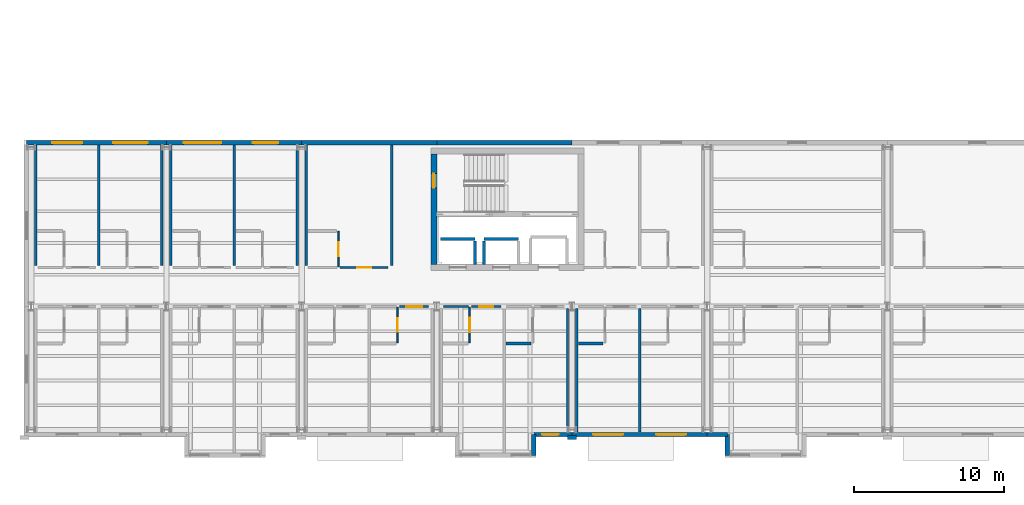
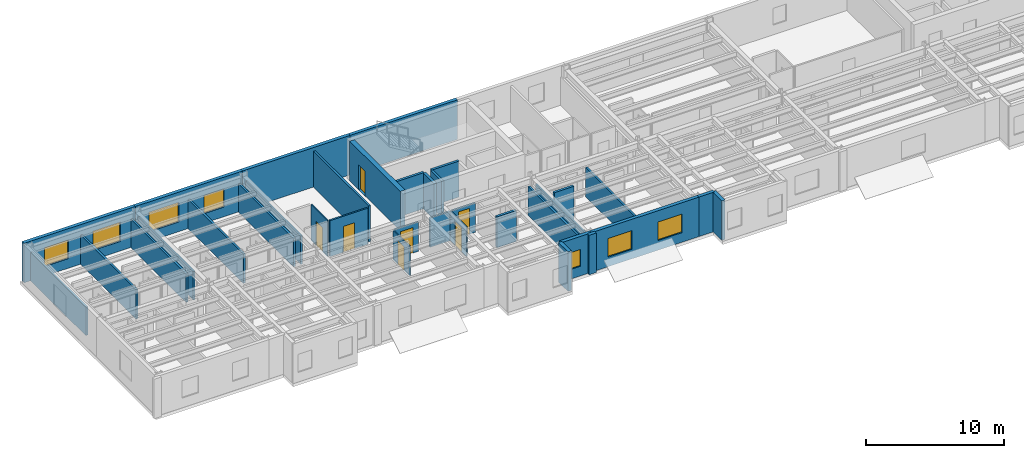
# One storey, part 9 of 19: 35 walls, 7 doors, 7 windows, 14 openings.
"""IFC4 building model written with IfcOpenShell, lengths in metres."""

import ifcopenshell
import ifcopenshell.guid

model = None  # the IFC model being written
_history = None  # IfcOwnerHistory: only IFC2X3 demands one
_inside = {}  # id of a spatial element -> (the spatial element, [elements in it])
_under = {}  # id of a project, library or spatial element -> (it, [spatial elements below it])
_declared = {}  # id of a project -> (the project, [libraries it declares])
_typed = {}  # id of a type object -> (the type object, [elements of that type])
_made_of = {}  # id of a material, layer set ... -> (it, [elements and type objects made of it])


def new_model(schema):
    """Start an empty IFC model of exactly this schema.

    Asked for "IFC4X3", IfcOpenShell would pick the latest addendum, in which some entities
    have other attributes; the version numbers below select the first issue.
    IFC2X3 requires an IfcOwnerHistory on every rooted entity: one is made here for all.
    """
    global model, _history
    if schema == "IFC4X3":
        model = ifcopenshell.file(schema_version=(4, 3, 0, 0))
    else:
        model = ifcopenshell.file(schema=schema)
    _inside.clear()
    _under.clear()
    _declared.clear()
    _typed.clear()
    _made_of.clear()
    _history = None
    if model.schema == "IFC2X3":
        org = make("IfcOrganization", Name="unknown")
        user = make(
            "IfcPersonAndOrganization",
            ThePerson=make("IfcPerson", FamilyName="unknown"),
            TheOrganization=org,
        )
        app = make(
            "IfcApplication",
            ApplicationDeveloper=org,
            Version="unknown",
            ApplicationFullName="unknown",
            ApplicationIdentifier="unknown",
        )
        _history = make(
            "IfcOwnerHistory",
            OwningUser=user,
            OwningApplication=app,
            ChangeAction="ADDED",
            CreationDate=0,
        )
    return model


def make(cls, **values):
    """One entity of the class cls with the attributes given. An attribute that is None is left unset."""
    return model.create_entity(
        cls, **{name: value for name, value in values.items() if value is not None}
    )


def rooted(cls, **values):
    """An entity with a GlobalId (a new one), such as an element, a storey or a relation."""
    return make(cls, GlobalId=ifcopenshell.guid.new(), OwnerHistory=_history, **values)


def si_unit(unit_type, name, prefix=None):
    """IfcSIUnit, for example si_unit("LENGTHUNIT", "METRE", prefix="MILLI")."""
    return make("IfcSIUnit", UnitType=unit_type, Prefix=prefix, Name=name)


def assignment(units):
    """IfcUnitAssignment: the units of a project."""
    return None if units is None else make("IfcUnitAssignment", Units=units)


def point(xyz):
    """IfcCartesianPoint."""
    return None if xyz is None else make("IfcCartesianPoint", Coordinates=xyz)


def direction(xyz):
    """IfcDirection."""
    return None if xyz is None else make("IfcDirection", DirectionRatios=xyz)


def frame(location, z_axis=None, x_axis=None):
    """IfcAxis2Placement3D, a coordinate frame: its origin and axes. An axis left out is left unset."""
    return make(
        "IfcAxis2Placement3D",
        Location=point(location),
        Axis=direction(z_axis),
        RefDirection=direction(x_axis),
    )


def frame_2d(location, x_axis=None):
    """IfcAxis2Placement2D, a coordinate frame in the plane: its origin and x axis."""
    return make(
        "IfcAxis2Placement2D", Location=point(location), RefDirection=direction(x_axis)
    )


def origin():
    """The frame at (0, 0, 0) with its axes left unset."""
    return frame((0.0, 0.0, 0.0))


def place(relative_to, where):
    """IfcLocalPlacement: puts the frame where relative to a parent placement (None: the world)."""
    return make(
        "IfcLocalPlacement", PlacementRelTo=relative_to, RelativePlacement=where
    )


def context(
    kind, dimensions, precision=None, world=None, true_north=None, identifier=None
):
    """IfcGeometricRepresentationContext, for example the 3D "Model" context."""
    return make(
        "IfcGeometricRepresentationContext",
        ContextIdentifier=identifier,
        ContextType=kind,
        CoordinateSpaceDimension=dimensions,
        Precision=precision,
        WorldCoordinateSystem=world,
        TrueNorth=true_north,
    )


def subcontext(parent, identifier, kind, view, scale=None):
    """IfcGeometricRepresentationSubContext, for example "Body" below "Model"."""
    return make(
        "IfcGeometricRepresentationSubContext",
        ContextIdentifier=identifier,
        ContextType=kind,
        ParentContext=parent,
        TargetScale=scale,
        TargetView=view,
    )


def project(units=None, contexts=None):
    """IfcProject with its units and contexts."""
    return rooted(
        "IfcProject",
        Name="project",
        RepresentationContexts=contexts,
        UnitsInContext=assignment(units),
    )


def spatial(cls, under=None, at=None, **own):
    """A site, building, storey or space (cls), placed at a placement, below another one or the project."""
    s = rooted(cls, ObjectPlacement=at, **own)
    if under is not None:
        _under.setdefault(under.id(), (under, []))[1].append(s)
    return s


def profile(cls, at=None, kind="AREA", **sizes):
    """A parametric profile (cls). Its sizes go by their IFC names, for example OverallWidth=200.0."""
    return make(cls, ProfileType=kind, Position=at, **sizes)


def rectangle(**sizes):
    """IfcRectangleProfileDef."""
    return profile("IfcRectangleProfileDef", **sizes)


def extrude(swept, where, along, depth):
    """IfcExtrudedAreaSolid: the profile swept, set in the frame where, extruded along a direction by depth."""
    return make(
        "IfcExtrudedAreaSolid",
        SweptArea=swept,
        Position=where,
        ExtrudedDirection=direction(along),
        Depth=depth,
    )


def shape(context_of_items, identifier, shape_type, items):
    """IfcShapeRepresentation: the items that make up one representation, for example the "Body"."""
    return make(
        "IfcShapeRepresentation",
        ContextOfItems=context_of_items,
        RepresentationIdentifier=identifier,
        RepresentationType=shape_type,
        Items=items,
    )


def material(Name=None, Category=None):
    """IfcMaterial."""
    return make("IfcMaterial", Name=Name, Category=Category)


def layer(
    of_material, thickness, ventilated=None, Name=None, Category=None, Priority=None
):
    """IfcMaterialLayer: one layer of a wall or slab, of a material (None: an air gap)."""
    return make(
        "IfcMaterialLayer",
        Material=of_material,
        LayerThickness=thickness,
        IsVentilated=ventilated,
        Name=Name,
        Category=Category,
        Priority=Priority,
    )


def layer_set(layers, Name=None):
    """IfcMaterialLayerSet."""
    return make("IfcMaterialLayerSet", MaterialLayers=layers, LayerSetName=Name)


def made_of(thing, what):
    """Note that an element or type object is made of a material, layer set ...; save() writes the relation."""
    if what is not None:
        _made_of.setdefault(what.id(), (what, []))[1].append(thing)
    return thing


def type_object(cls, material=None, **own):
    """A type object (cls), such as IfcWallType, which elements share."""
    return made_of(rooted(cls, **own), material)


def element(
    cls,
    number,
    at=None,
    inside=None,
    cuts=None,
    type_object=None,
    material=None,
    context=None,
    identifier="Body",
    shape_type=None,
    held_by="IfcProductDefinitionShape",
    body=None,
    shapes=None,
    **own,
):
    """One element of the class cls, such as IfcWall. Its Tag is "e" and its number.

    at: its placement. inside: the storey or other place that contains it. cuts: it is an
    opening in that element (IfcRelVoidsElement). A single representation is given by context,
    identifier, shape_type and body (its items); several are given by shapes. held_by: the class
    of the entity that holds the representations. save() writes the other relations.
    """
    e = rooted(cls, Tag="e%d" % number, ObjectPlacement=at, **own)
    if body is not None:
        shapes = [shape(context, identifier, shape_type, body)]
    if shapes is not None:
        e.Representation = make(held_by, Representations=shapes)
    if inside is not None:
        _inside.setdefault(inside.id(), (inside, []))[1].append(e)
    if cuts is not None:
        rooted(
            "IfcRelVoidsElement", RelatingBuildingElement=cuts, RelatedOpeningElement=e
        )
    if type_object is not None:
        _typed.setdefault(type_object.id(), (type_object, []))[1].append(e)
    return made_of(e, material)


def fill(opening, filler):
    """IfcRelFillsElement: the door or window that sits in an opening."""
    return rooted(
        "IfcRelFillsElement",
        RelatingOpeningElement=opening,
        RelatedBuildingElement=filler,
    )


def aggregate(whole, parts):
    """IfcRelAggregates: a whole, such as a stair, and the parts it consists of."""
    return rooted("IfcRelAggregates", RelatingObject=whole, RelatedObjects=parts)


def save(model, path):
    """Write the relations noted so far, then the file.

    IfcRelAggregates (storeys below a building ...), IfcRelContainedInSpatialStructure (elements
    in a storey), IfcRelDefinesByType, IfcRelAssociatesMaterial and IfcRelDeclares: one each for
    every whole, place, type object, material and project.
    """
    for whole, parts in _under.values():
        aggregate(whole, parts)
    for where, things in _inside.values():
        rooted(
            "IfcRelContainedInSpatialStructure",
            RelatedElements=things,
            RelatingStructure=where,
        )
    for kind, things in _typed.values():
        rooted("IfcRelDefinesByType", RelatedObjects=things, RelatingType=kind)
    for what, things in _made_of.values():
        rooted("IfcRelAssociatesMaterial", RelatedObjects=things, RelatingMaterial=what)
    for by, libraries in _declared.values():
        rooted("IfcRelDeclares", RelatingContext=by, RelatedDefinitions=libraries)
    model.write(path)


model = new_model("IFC4")

# Units and contexts
model_context = context("Model", 3, precision=1e-05, world=origin(), true_north=direction((0.0, 1.0)))
body_context = subcontext(model_context, "Body", "Model", "MODEL_VIEW")
ifc_project = project(units=[si_unit("LENGTHUNIT", "METRE"), si_unit("AREAUNIT", "SQUARE_METRE"), si_unit("VOLUMEUNIT", "CUBIC_METRE"), si_unit("PLANEANGLEUNIT", "RADIAN"), si_unit("MASSUNIT", "GRAM", prefix="KILO")], contexts=[model_context])

# Site, building, storey
site_placement = place(None, origin())
site = spatial("IfcSite", under=ifc_project, at=site_placement, CompositionType="ELEMENT")
building_placement = place(site_placement, origin())
building = spatial("IfcBuilding", under=site, at=building_placement, Name="Sollismere Congress Hotel", CompositionType="ELEMENT")
storey_placement = place(building_placement, frame((0.0, 0.0, 34.10009765625)))
storey = spatial("IfcBuildingStorey", under=building, at=storey_placement, Name="L08", CompositionType="ELEMENT", Elevation=34.10009765625)

# Wall, opening, window
ifc_material_1 = material(Name="Colorado Buff Sandstone Rainscreen on Insulated Backup", Category="masonry")
ifc_layer_1 = layer(ifc_material_1, 0.284912109375, Name="Colorado Buff Sandstone Rainscreen on Insulated Backup")
ifc_layer_set_1 = layer_set([ifc_layer_1], Name="Colorado Buff Sandstone Rainscreen on Insulated Backup")
wall_type_1 = type_object("IfcWallType", Name="WL-EXT285", PredefinedType="STANDARD", material=ifc_layer_set_1)
wall_1_placement = place(storey_placement, frame((100.4599609375, -0.31005859375, 0.0), z_axis=(0.0, 0.0, 1.0), x_axis=(1.0, 0.0, 0.0)))
wall_1 = element("IfcWall", 1, at=wall_1_placement, inside=storey, type_object=wall_type_1, Name="Exterior wall EW-L08-821", PredefinedType="STANDARD", context=body_context, shape_type="SweptSolid", body=[
    extrude(rectangle(XDim=2.5400390625, YDim=0.284912109375, at=frame_2d((1.27001953125, 0.0))), origin(), (0.0, 0.0, 1.0), 3.5),
])
opening_1_placement = place(wall_1_placement, frame((0.544921875, 0.0, 0.85009765625)))
opening_1 = element("IfcOpeningElement", 2, at=opening_1_placement, cuts=wall_1, Name="Opening W-L08-596", PredefinedType="OPENING", context=body_context, shape_type="SweptSolid", body=[
    extrude(rectangle(XDim=1.10009765625, YDim=1.5, at=frame_2d((0.550048828125, 0.75))), frame((0.0, 0.15234375, 0.0), z_axis=(0.0, -1.0, 0.0), x_axis=(1.0, 0.0, 0.0)), (0.0, 0.0, 1.0), 0.304931640625),
])
ifc_material_2 = material(Name="Thermally Broken Bronze Aluminum & Low-E Glass", Category="aluminium")
window_type_1 = type_object("IfcWindowType", Name="WN-P110x150", PartitioningType="SINGLE_PANEL", PredefinedType="WINDOW", material=ifc_material_2)
window_1_placement = place(opening_1_placement, origin())
window_1 = element("IfcWindow", 3, at=window_1_placement, inside=storey, type_object=window_type_1, Name="WIN-W-L08-596", OverallHeight=1.5, OverallWidth=1.10009765625, PartitioningType="SINGLE_PANEL", PredefinedType="WINDOW", context=body_context, shape_type="SweptSolid", body=[
    extrude(rectangle(XDim=1.10009765625, YDim=1.5, at=frame_2d((0.550048828125, 0.75))), frame((0.0, 0.030029296875, 0.0), z_axis=(0.0, -1.0, 0.0), x_axis=(1.0, 0.0, 0.0)), (0.0, 0.0, 1.0), 0.06005859375),
])
fill(opening_1, window_1)

# Wall
wall_2_placement = place(storey_placement, frame((100.4599609375, -1.699951171875, 0.0), z_axis=(0.0, 0.0, 1.0), x_axis=(0.0, 1.0, 0.0)))
element("IfcWall", 4, at=wall_2_placement, inside=storey, type_object=wall_type_1, Name="Exterior wall EW-L08-824", PredefinedType="STANDARD", context=body_context, shape_type="SweptSolid", body=[
    extrude(rectangle(XDim=1.389892578125, YDim=0.284912109375, at=frame_2d((0.69482421875, 0.0))), origin(), (0.0, 0.0, 1.0), 3.5),
])

# Wall, openings, windows
wall_3_placement = place(storey_placement, frame((103.0, -0.31005859375, 0.0), z_axis=(0.0, 0.0, 1.0), x_axis=(1.0, 0.0, 0.0)))
wall_3 = element("IfcWall", 5, at=wall_3_placement, inside=storey, type_object=wall_type_1, Name="Exterior wall EW-L08-825", PredefinedType="STANDARD", context=body_context, shape_type="SweptSolid", body=[
    extrude(rectangle(XDim=9.0, YDim=0.284912109375, at=frame_2d((4.5, 0.0))), origin(), (0.0, 0.0, 1.0), 3.5),
])
opening_2_placement = place(wall_3_placement, frame((1.39990234375, 0.0, 0.85009765625)))
opening_2 = element("IfcOpeningElement", 6, at=opening_2_placement, cuts=wall_3, Name="Opening W-L08-599", PredefinedType="OPENING", context=body_context, shape_type="SweptSolid", body=[
    extrude(rectangle(XDim=2.0, YDim=1.64990234375, at=frame_2d((1.0, 0.824951171875))), frame((0.0, 0.15234375, 0.0), z_axis=(0.0, -1.0, 0.0), x_axis=(1.0, 0.0, 0.0)), (0.0, 0.0, 1.0), 0.304931640625),
])
opening_3_placement = place(wall_3_placement, frame((5.60009765625, 0.0, 0.85009765625)))
opening_3 = element("IfcOpeningElement", 7, at=opening_3_placement, cuts=wall_3, Name="Opening W-L08-600", PredefinedType="OPENING", context=body_context, shape_type="SweptSolid", body=[
    extrude(rectangle(XDim=2.0, YDim=1.64990234375, at=frame_2d((1.0, 0.824951171875))), frame((0.0, 0.15234375, 0.0), z_axis=(0.0, -1.0, 0.0), x_axis=(1.0, 0.0, 0.0)), (0.0, 0.0, 1.0), 0.304931640625),
])
window_type_2 = type_object("IfcWindowType", Name="WN-P200x165", PartitioningType="SINGLE_PANEL", PredefinedType="WINDOW", material=ifc_material_2)
window_2_placement = place(opening_2_placement, origin())
window_2 = element("IfcWindow", 8, at=window_2_placement, inside=storey, type_object=window_type_2, Name="WIN-W-L08-599", OverallHeight=1.64990234375, OverallWidth=2.0, PartitioningType="SINGLE_PANEL", PredefinedType="WINDOW", context=body_context, shape_type="SweptSolid", body=[
    extrude(rectangle(XDim=2.0, YDim=1.64990234375, at=frame_2d((1.0, 0.824951171875))), frame((0.0, 0.030029296875, 0.0), z_axis=(0.0, -1.0, 0.0), x_axis=(1.0, 0.0, 0.0)), (0.0, 0.0, 1.0), 0.06005859375),
])
fill(opening_2, window_2)
window_3_placement = place(opening_3_placement, origin())
window_3 = element("IfcWindow", 9, at=window_3_placement, inside=storey, type_object=window_type_2, Name="WIN-W-L08-600", OverallHeight=1.64990234375, OverallWidth=2.0, PartitioningType="SINGLE_PANEL", PredefinedType="WINDOW", context=body_context, shape_type="SweptSolid", body=[
    extrude(rectangle(XDim=2.0, YDim=1.64990234375, at=frame_2d((1.0, 0.824951171875))), frame((0.0, 0.030029296875, 0.0), z_axis=(0.0, -1.0, 0.0), x_axis=(1.0, 0.0, 0.0)), (0.0, 0.0, 1.0), 0.06005859375),
])
fill(opening_3, window_3)

# Walls
wall_4_placement = place(storey_placement, frame((112.0, -0.31005859375, 0.0), z_axis=(0.0, 0.0, 1.0), x_axis=(1.0, 0.0, 0.0)))
element("IfcWall", 10, at=wall_4_placement, inside=storey, type_object=wall_type_1, Name="Exterior wall EW-L08-827", PredefinedType="STANDARD", context=body_context, shape_type="SweptSolid", body=[
    extrude(rectangle(XDim=1.340087890625, YDim=0.284912109375, at=frame_2d((0.669921875, 0.0))), origin(), (0.0, 0.0, 1.0), 3.5),
])
wall_5_placement = place(storey_placement, frame((113.340087890625, -0.31005859375, 0.0), z_axis=(0.0, 0.0, 1.0), x_axis=(0.0, -1.0, 0.0)))
element("IfcWall", 11, at=wall_5_placement, inside=storey, type_object=wall_type_1, Name="Exterior wall EW-L08-830", PredefinedType="STANDARD", context=body_context, shape_type="SweptSolid", body=[
    extrude(rectangle(XDim=1.389892578125, YDim=0.284912109375, at=frame_2d((0.69482421875, 0.0))), origin(), (0.0, 0.0, 1.0), 3.5),
])

# Wall, openings, windows
wall_6_placement = place(storey_placement, frame((76.0, 19.110107421875, 0.0), z_axis=(0.0, 0.0, 1.0), x_axis=(-1.0, 0.0, 0.0)))
wall_6 = element("IfcWall", 12, at=wall_6_placement, inside=storey, type_object=wall_type_1, Name="Exterior wall EW-L08-861", PredefinedType="STANDARD", context=body_context, shape_type="SweptSolid", body=[
    extrude(rectangle(XDim=9.31005859375, YDim=0.284912109375, at=frame_2d((4.655029296875, 0.0))), origin(), (0.0, 0.0, 1.0), 3.5),
])
opening_4_placement = place(wall_6_placement, frame((5.60009765625, 0.0, 0.85009765625)))
opening_4 = element("IfcOpeningElement", 13, at=opening_4_placement, cuts=wall_6, Name="Opening W-L08-618", PredefinedType="OPENING", context=body_context, shape_type="SweptSolid", body=[
    extrude(rectangle(XDim=2.0, YDim=1.64990234375, at=frame_2d((1.0, 0.824951171875))), frame((0.0, 0.15234375, 0.0), z_axis=(0.0, -1.0, 0.0), x_axis=(1.0, 0.0, 0.0)), (0.0, 0.0, 1.0), 0.304931640625),
])
opening_5_placement = place(wall_6_placement, frame((1.25, 0.0, 0.85009765625)))
opening_5 = element("IfcOpeningElement", 14, at=opening_5_placement, cuts=wall_6, Name="Opening W-L08-619", PredefinedType="OPENING", context=body_context, shape_type="SweptSolid", body=[
    extrude(rectangle(XDim=2.300048828125, YDim=1.699951171875, at=frame_2d((1.14990234375, 0.85009765625))), frame((0.0, 0.15234375, 0.0), z_axis=(0.0, -1.0, 0.0), x_axis=(1.0, 0.0, 0.0)), (0.0, 0.0, 1.0), 0.304931640625),
])
window_4_placement = place(opening_4_placement, origin())
window_4 = element("IfcWindow", 15, at=window_4_placement, inside=storey, type_object=window_type_2, Name="WIN-W-L08-618", OverallHeight=1.64990234375, OverallWidth=2.0, PartitioningType="SINGLE_PANEL", PredefinedType="WINDOW", context=body_context, shape_type="SweptSolid", body=[
    extrude(rectangle(XDim=2.0, YDim=1.64990234375, at=frame_2d((1.0, 0.824951171875))), frame((0.0, 0.030029296875, 0.0), z_axis=(0.0, -1.0, 0.0), x_axis=(1.0, 0.0, 0.0)), (0.0, 0.0, 1.0), 0.06005859375),
])
fill(opening_4, window_4)
window_type_3 = type_object("IfcWindowType", Name="WN-P230x170", PartitioningType="SINGLE_PANEL", PredefinedType="WINDOW", material=ifc_material_2)
window_5_placement = place(opening_5_placement, origin())
window_5 = element("IfcWindow", 16, at=window_5_placement, inside=storey, type_object=window_type_3, Name="WIN-W-L08-619", OverallHeight=1.699951171875, OverallWidth=2.300048828125, PartitioningType="SINGLE_PANEL", PredefinedType="WINDOW", context=body_context, shape_type="SweptSolid", body=[
    extrude(rectangle(XDim=2.300048828125, YDim=1.699951171875, at=frame_2d((1.14990234375, 0.85009765625))), frame((0.0, 0.030029296875, 0.0), z_axis=(0.0, -1.0, 0.0), x_axis=(1.0, 0.0, 0.0)), (0.0, 0.0, 1.0), 0.06005859375),
])
fill(opening_5, window_5)

wall_7_placement = place(storey_placement, frame((85.0, 19.110107421875, 0.0), z_axis=(0.0, 0.0, 1.0), x_axis=(-1.0, 0.0, 0.0)))
wall_7 = element("IfcWall", 17, at=wall_7_placement, inside=storey, type_object=wall_type_1, Name="Exterior wall EW-L08-862", PredefinedType="STANDARD", context=body_context, shape_type="SweptSolid", body=[
    extrude(rectangle(XDim=9.0, YDim=0.284912109375, at=frame_2d((4.5, 0.0))), origin(), (0.0, 0.0, 1.0), 3.5),
])
opening_6_placement = place(wall_7_placement, frame((5.35009765625, 0.0, 0.85009765625)))
opening_6 = element("IfcOpeningElement", 18, at=opening_6_placement, cuts=wall_7, Name="Opening W-L08-620", PredefinedType="OPENING", context=body_context, shape_type="SweptSolid", body=[
    extrude(rectangle(XDim=2.5, YDim=1.75, at=frame_2d((1.25, 0.875))), frame((0.0, 0.15234375, 0.0), z_axis=(0.0, -1.0, 0.0), x_axis=(1.0, 0.0, 0.0)), (0.0, 0.0, 1.0), 0.304931640625),
])
opening_7_placement = place(wall_7_placement, frame((1.550048828125, 0.0, 0.85009765625)))
opening_7 = element("IfcOpeningElement", 19, at=opening_7_placement, cuts=wall_7, Name="Opening W-L08-621", PredefinedType="OPENING", context=body_context, shape_type="SweptSolid", body=[
    extrude(rectangle(XDim=1.699951171875, YDim=1.60009765625, at=frame_2d((0.85009765625, 0.800048828125))), frame((0.0, 0.15234375, 0.0), z_axis=(0.0, -1.0, 0.0), x_axis=(1.0, 0.0, 0.0)), (0.0, 0.0, 1.0), 0.304931640625),
])
window_type_4 = type_object("IfcWindowType", Name="WN-P170x160", PartitioningType="SINGLE_PANEL", PredefinedType="WINDOW", material=ifc_material_2)
window_6_placement = place(opening_7_placement, origin())
window_6 = element("IfcWindow", 20, at=window_6_placement, inside=storey, type_object=window_type_4, Name="WIN-W-L08-621", OverallHeight=1.60009765625, OverallWidth=1.699951171875, PartitioningType="SINGLE_PANEL", PredefinedType="WINDOW", context=body_context, shape_type="SweptSolid", body=[
    extrude(rectangle(XDim=1.699951171875, YDim=1.60009765625, at=frame_2d((0.85009765625, 0.800048828125))), frame((0.0, 0.030029296875, 0.0), z_axis=(0.0, -1.0, 0.0), x_axis=(1.0, 0.0, 0.0)), (0.0, 0.0, 1.0), 0.06005859375),
])
fill(opening_7, window_6)
window_type_5 = type_object("IfcWindowType", Name="WN-P250x175", PartitioningType="SINGLE_PANEL", PredefinedType="WINDOW", material=ifc_material_2)
window_7_placement = place(opening_6_placement, origin())
window_7 = element("IfcWindow", 21, at=window_7_placement, inside=storey, type_object=window_type_5, Name="WIN-W-L08-620", OverallHeight=1.75, OverallWidth=2.5, PartitioningType="SINGLE_PANEL", PredefinedType="WINDOW", context=body_context, shape_type="SweptSolid", body=[
    extrude(rectangle(XDim=2.5, YDim=1.75, at=frame_2d((1.25, 0.875))), frame((0.0, 0.030029296875, 0.0), z_axis=(0.0, -1.0, 0.0), x_axis=(1.0, 0.0, 0.0)), (0.0, 0.0, 1.0), 0.06005859375),
])
fill(opening_6, window_7)

# Walls
for number, where, z_axis, x_axis, name in (
    (22, (94.0, 19.110107421875, 0.0), (0.0, 0.0, 1.0), (-1.0, 0.0, 0.0), "Exterior wall EW-L08-863"),
    (23, (103.0, 19.110107421875, 0.0), (0.0, 0.0, 1.0), (-1.0, 0.0, 0.0), "Exterior wall EW-L08-864"),
):
    element("IfcWall", number, at=place(storey_placement, frame(where, z_axis=z_axis, x_axis=x_axis)), inside=storey, type_object=wall_type_1, Name=name, PredefinedType="STANDARD", context=body_context, shape_type="SweptSolid", body=[
        extrude(rectangle(XDim=9.0, YDim=0.284912109375, at=frame_2d((4.5, 0.0))), origin(), (0.0, 0.0, 1.0), 3.5),
    ])
ifc_material_3 = material(Name="Carved Travertine Pilaster & Frieze Assembly", Category="masonry")
ifc_layer_2 = layer(ifc_material_3, 0.260009765625, Name="Carved Travertine Pilaster & Frieze Assembly")
ifc_layer_set_2 = layer_set([ifc_layer_2], Name="Carved Travertine Pilaster & Frieze Assembly")
wall_type_2 = type_object("IfcWallType", Name="WL-PIL280", PredefinedType="ELEMENTEDWALL", material=ifc_layer_set_2)
wall_8_placement = place(storey_placement, frame((102.699951171875, -0.52001953125, 0.0), z_axis=(0.0, 0.0, 1.0), x_axis=(1.0, 0.0, 0.0)))
element("IfcWall", 24, at=wall_8_placement, inside=storey, type_object=wall_type_2, Name="Exterior wall EW-L08-826", PredefinedType="ELEMENTEDWALL", context=body_context, shape_type="SweptSolid", body=[
    extrude(rectangle(XDim=0.60009765625, YDim=0.260009765625, at=frame_2d((0.300048828125, 0.0))), origin(), (0.0, 0.0, 1.0), 3.5),
])
ifc_material_4 = material(Name="Moisture-Resistant Shaft Gypsum Assembly")
ifc_layer_3 = layer(ifc_material_4, 0.199951171875, Name="Moisture-Resistant Shaft Gypsum Assembly")
ifc_layer_set_3 = layer_set([ifc_layer_3], Name="Moisture-Resistant Shaft Gypsum Assembly")
wall_type_3 = type_object("IfcWallType", Name="WL-PLM200", PredefinedType="PLUMBINGWALL", material=ifc_layer_set_3)
wall_9_placement = place(storey_placement, frame((94.2548828125, 12.68994140625, 0.0), z_axis=(0.0, 0.0, 1.0), x_axis=(1.0, 0.0, 0.0)))
element("IfcWall", 25, at=wall_9_placement, inside=storey, type_object=wall_type_3, Name="Interior wall IW-L08-0331", PredefinedType="PLUMBINGWALL", context=body_context, shape_type="SweptSolid", body=[
    extrude(rectangle(XDim=2.2900390625, YDim=0.199951171875, at=frame_2d((1.14501953125, 0.0))), origin(), (0.0, 0.0, 1.0), 3.18994140625),
])
wall_10_placement = place(storey_placement, frame((96.544921875, 11.011962890625, 0.0), z_axis=(0.0, 0.0, 1.0), x_axis=(0.0, 1.0, 0.0)))
element("IfcWall", 26, at=wall_10_placement, inside=storey, type_object=wall_type_3, Name="Interior wall IW-L08-0332", PredefinedType="PLUMBINGWALL", context=body_context, shape_type="SweptSolid", body=[
    extrude(rectangle(XDim=1.56591796875, YDim=0.199951171875, at=frame_2d((0.782958984375, 0.0))), origin(), (0.0, 0.0, 1.0), 3.18994140625),
])
wall_11_placement = place(storey_placement, frame((97.155029296875, 12.68994140625, 0.0), z_axis=(0.0, 0.0, 1.0), x_axis=(1.0, 0.0, 0.0)))
element("IfcWall", 27, at=wall_11_placement, inside=storey, type_object=wall_type_3, Name="Interior wall IW-L08-0333", PredefinedType="PLUMBINGWALL", context=body_context, shape_type="SweptSolid", body=[
    extrude(rectangle(XDim=2.2900390625, YDim=0.199951171875, at=frame_2d((1.14501953125, 0.0))), origin(), (0.0, 0.0, 1.0), 3.18994140625),
])
wall_12_placement = place(storey_placement, frame((97.155029296875, 11.011962890625, 0.0), z_axis=(0.0, 0.0, 1.0), x_axis=(0.0, 1.0, 0.0)))
element("IfcWall", 28, at=wall_12_placement, inside=storey, type_object=wall_type_3, Name="Interior wall IW-L08-0334", PredefinedType="PLUMBINGWALL", context=body_context, shape_type="SweptSolid", body=[
    extrude(rectangle(XDim=1.56591796875, YDim=0.199951171875, at=frame_2d((0.782958984375, 0.0))), origin(), (0.0, 0.0, 1.0), 3.18994140625),
])
wall_13_placement = place(storey_placement, frame((98.6201171875, 5.75, 0.0), z_axis=(0.0, 0.0, 1.0), x_axis=(1.0, 0.0, 0.0)))
element("IfcWall", 29, at=wall_13_placement, inside=storey, type_object=wall_type_3, Name="Interior wall IW-L08-2462", PredefinedType="PLUMBINGWALL", context=body_context, shape_type="SweptSolid", body=[
    extrude(rectangle(XDim=1.64990234375, YDim=0.199951171875, at=frame_2d((0.824951171875, 0.0))), origin(), (0.0, 0.0, 1.0), 2.742919921875),
])
wall_14_placement = place(storey_placement, frame((103.419921875, 5.75, 0.0), z_axis=(0.0, 0.0, 1.0), x_axis=(1.0, 0.0, 0.0)))
element("IfcWall", 30, at=wall_14_placement, inside=storey, type_object=wall_type_3, Name="Interior wall IW-L08-2468", PredefinedType="PLUMBINGWALL", context=body_context, shape_type="SweptSolid", body=[
    extrude(rectangle(XDim=1.650146484375, YDim=0.199951171875, at=frame_2d((0.8251953125, 0.0))), origin(), (0.0, 0.0, 1.0), 3.18994140625),
])

# Wall, opening, door
ifc_material_5 = material(Name="Moisture-Resistant Gypsum Partition")
ifc_layer_4 = layer(ifc_material_5, 0.10009765625, Name="Moisture-Resistant Gypsum Partition")
ifc_layer_set_4 = layer_set([ifc_layer_4], Name="Moisture-Resistant Gypsum Partition")
wall_type_4 = type_object("IfcWallType", Name="WL-PRT100", PredefinedType="PARTITIONING", material=ifc_layer_set_4)
wall_15_placement = place(storey_placement, frame((91.389892578125, 5.7900390625, 0.0), z_axis=(0.0, 0.0, 1.0), x_axis=(0.0, 1.0, 0.0)))
wall_15 = element("IfcWall", 31, at=wall_15_placement, inside=storey, type_object=wall_type_4, Name="Interior wall IW-L08-2444", PredefinedType="PARTITIONING", context=body_context, shape_type="SweptSolid", body=[
    extrude(rectangle(XDim=2.369873046875, YDim=0.10009765625, at=frame_2d((1.18505859375, 0.0))), origin(), (0.0, 0.0, 1.0), 2.602783203125),
])
opening_8_placement = place(wall_15_placement, frame((0.73291015625, 0.0, 0.0)))
opening_8 = element("IfcOpeningElement", 32, at=opening_8_placement, cuts=wall_15, Name="Opening D-L08-0863", PredefinedType="OPENING", context=body_context, shape_type="SweptSolid", body=[
    extrude(rectangle(XDim=0.905029296875, YDim=2.10009765625, at=frame_2d((0.45263671875, 1.050048828125))), frame((0.0, 0.06005859375, 0.0), z_axis=(0.0, -1.0, 0.0), x_axis=(1.0, 0.0, 0.0)), (0.0, 0.0, 1.0), 0.1201171875),
])
ifc_material_6 = material(Name="Moisture-Sealed Timber Bathroom Door", Category="wood")
door_type_1 = type_object("IfcDoorType", Name="DR-BT02", OperationType="NOTDEFINED", PredefinedType="DOOR", material=ifc_material_6)
door_1_placement = place(opening_8_placement, origin())
door_1 = element("IfcDoor", 33, at=door_1_placement, inside=storey, type_object=door_type_1, Name="En-suite bathroom door D-L08-0863", OperationType="SINGLE_SWING_RIGHT", OverallHeight=2.10009765625, OverallWidth=0.905029296875, PredefinedType="DOOR", context=body_context, shape_type="SweptSolid", body=[
    extrude(rectangle(XDim=0.905029296875, YDim=2.10009765625, at=frame_2d((0.45263671875, 1.050048828125))), frame((0.0, 0.02490234375, 0.0), z_axis=(0.0, -1.0, 0.0), x_axis=(1.0, 0.0, 0.0)), (0.0, 0.0, 1.0), 0.050048828125),
])
fill(opening_8, door_1)

wall_16_placement = place(storey_placement, frame((87.449951171875, 10.840087890625, 0.0), z_axis=(0.0, 0.0, 1.0), x_axis=(0.0, 1.0, 0.0)))
wall_16 = element("IfcWall", 34, at=wall_16_placement, inside=storey, type_object=wall_type_4, Name="Interior wall IW-L08-2450", PredefinedType="PARTITIONING", context=body_context, shape_type="SweptSolid", body=[
    extrude(rectangle(XDim=2.369873046875, YDim=0.10009765625, at=frame_2d((1.18505859375, 0.0))), origin(), (0.0, 0.0, 1.0), 3.18994140625),
])
opening_9_placement = place(wall_16_placement, frame((0.719970703125, 0.0, 0.0)))
opening_9 = element("IfcOpeningElement", 35, at=opening_9_placement, cuts=wall_16, Name="Opening D-L08-0865", PredefinedType="OPENING", context=body_context, shape_type="SweptSolid", body=[
    extrude(rectangle(XDim=0.929931640625, YDim=2.139892578125, at=frame_2d((0.46484375, 1.06982421875))), frame((0.0, 0.06005859375, 0.0), z_axis=(0.0, -1.0, 0.0), x_axis=(1.0, 0.0, 0.0)), (0.0, 0.0, 1.0), 0.1201171875),
])
door_type_2 = type_object("IfcDoorType", Name="DR-BT03", OperationType="NOTDEFINED", PredefinedType="DOOR", material=ifc_material_6)
door_2_placement = place(opening_9_placement, origin())
door_2 = element("IfcDoor", 36, at=door_2_placement, inside=storey, type_object=door_type_2, Name="En-suite bathroom door D-L08-0865", OperationType="SINGLE_SWING_RIGHT", OverallHeight=2.139892578125, OverallWidth=0.929931640625, PredefinedType="DOOR", context=body_context, shape_type="SweptSolid", body=[
    extrude(rectangle(XDim=0.929931640625, YDim=2.139892578125, at=frame_2d((0.46484375, 1.06982421875))), frame((0.0, 0.02490234375, 0.0), z_axis=(0.0, -1.0, 0.0), x_axis=(1.0, 0.0, 0.0)), (0.0, 0.0, 1.0), 0.050048828125),
])
fill(opening_9, door_2)

wall_17_placement = place(storey_placement, frame((96.18994140625, 5.7900390625, 0.0), z_axis=(0.0, 0.0, 1.0), x_axis=(0.0, 1.0, 0.0)))
wall_17 = element("IfcWall", 37, at=wall_17_placement, inside=storey, type_object=wall_type_4, Name="Interior wall IW-L08-2456", PredefinedType="PARTITIONING", context=body_context, shape_type="SweptSolid", body=[
    extrude(rectangle(XDim=2.369873046875, YDim=0.10009765625, at=frame_2d((1.18505859375, 0.0))), origin(), (0.0, 0.0, 1.0), 2.602783203125),
])
opening_10_placement = place(wall_17_placement, frame((0.7080078125, 0.0, 0.0)))
opening_10 = element("IfcOpeningElement", 38, at=opening_10_placement, cuts=wall_17, Name="Opening D-L08-0867", PredefinedType="OPENING", context=body_context, shape_type="SweptSolid", body=[
    extrude(rectangle(XDim=0.955078125, YDim=2.139892578125, at=frame_2d((0.4775390625, 1.06982421875))), frame((0.0, 0.06005859375, 0.0), z_axis=(0.0, -1.0, 0.0), x_axis=(1.0, 0.0, 0.0)), (0.0, 0.0, 1.0), 0.1201171875),
])
door_type_3 = type_object("IfcDoorType", Name="DR-BT04", OperationType="NOTDEFINED", PredefinedType="DOOR", material=ifc_material_6)
door_3_placement = place(opening_10_placement, origin())
door_3 = element("IfcDoor", 39, at=door_3_placement, inside=storey, type_object=door_type_3, Name="En-suite bathroom door D-L08-0867", OperationType="SINGLE_SWING_RIGHT", OverallHeight=2.139892578125, OverallWidth=0.955078125, PredefinedType="DOOR", context=body_context, shape_type="SweptSolid", body=[
    extrude(rectangle(XDim=0.955078125, YDim=2.139892578125, at=frame_2d((0.4775390625, 1.06982421875))), frame((0.0, 0.02490234375, 0.0), z_axis=(0.0, -1.0, 0.0), x_axis=(1.0, 0.0, 0.0)), (0.0, 0.0, 1.0), 0.050048828125),
])
fill(opening_10, door_3)

ifc_material_7 = material(Name="Fire-Rated Gypsum Partition")
ifc_layer_5 = layer(ifc_material_7, 0.139892578125, Name="Fire-Rated Gypsum Partition")
ifc_layer_set_5 = layer_set([ifc_layer_5], Name="Fire-Rated Gypsum Partition")
wall_type_5 = type_object("IfcWallType", Name="WL-PRT140R", PredefinedType="PARTITIONING", material=ifc_layer_set_5)
wall_18_placement = place(storey_placement, frame((91.510009765625, 8.199951171875, 0.0), z_axis=(0.0, 0.0, 1.0), x_axis=(1.0, 0.0, 0.0)))
wall_18 = element("IfcWall", 40, at=wall_18_placement, inside=storey, type_object=wall_type_5, Name="Interior wall IW-L08-2442", PredefinedType="PARTITIONING", context=body_context, shape_type="SweptSolid", body=[
    extrude(rectangle(XDim=1.949951171875, YDim=0.139892578125, at=frame_2d((0.97509765625, 0.0))), origin(), (0.0, 0.0, 1.0), 2.602783203125),
])
opening_11_placement = place(wall_18_placement, frame((0.43994140625, 0.0, 0.0)))
opening_11 = element("IfcOpeningElement", 41, at=opening_11_placement, cuts=wall_18, Name="Opening D-L08-0862", PredefinedType="OPENING", context=body_context, shape_type="SweptSolid", body=[
    extrude(rectangle(XDim=1.070068359375, YDim=2.25, at=frame_2d((0.53515625, 1.125))), frame((0.0, 0.079833984375, 0.0), z_axis=(0.0, -1.0, 0.0), x_axis=(1.0, 0.0, 0.0)), (0.0, 0.0, 1.0), 0.159912109375),
])
ifc_material_8 = material(Name="Solid-Core Acoustic Walnut Guestroom Entry Door")
door_type_4 = type_object("IfcDoorType", Name="DR-KY06", OperationType="NOTDEFINED", PredefinedType="DOOR", material=ifc_material_8)
door_4_placement = place(opening_11_placement, origin())
door_4 = element("IfcDoor", 42, at=door_4_placement, inside=storey, type_object=door_type_4, Name="Hotel room entry door D-L08-0862", OperationType="SINGLE_SWING_LEFT", OverallHeight=2.25, OverallWidth=1.070068359375, PredefinedType="DOOR", context=body_context, shape_type="SweptSolid", body=[
    extrude(rectangle(XDim=1.070068359375, YDim=2.25, at=frame_2d((0.53515625, 1.125))), frame((0.0, 0.02490234375, 0.0), z_axis=(0.0, -1.0, 0.0), x_axis=(1.0, 0.0, 0.0)), (0.0, 0.0, 1.0), 0.050048828125),
])
fill(opening_11, door_4)

wall_19_placement = place(storey_placement, frame((87.570068359375, 10.800048828125, 0.0), z_axis=(0.0, 0.0, 1.0), x_axis=(1.0, 0.0, 0.0)))
wall_19 = element("IfcWall", 43, at=wall_19_placement, inside=storey, type_object=wall_type_5, Name="Interior wall IW-L08-2447", PredefinedType="PARTITIONING", context=body_context, shape_type="SweptSolid", body=[
    extrude(rectangle(XDim=3.18994140625, YDim=0.139892578125, at=frame_2d((1.594970703125, 0.0))), origin(), (0.0, 0.0, 1.0), 3.18994140625),
])
opening_12_placement = place(wall_19_placement, frame((1.135009765625, 0.0, 0.0)))
opening_12 = element("IfcOpeningElement", 44, at=opening_12_placement, cuts=wall_19, Name="Opening D-L08-0864", PredefinedType="OPENING", context=body_context, shape_type="SweptSolid", body=[
    extrude(rectangle(XDim=0.919921875, YDim=2.300048828125, at=frame_2d((0.4599609375, 1.14990234375))), frame((0.0, 0.079833984375, 0.0), z_axis=(0.0, -1.0, 0.0), x_axis=(1.0, 0.0, 0.0)), (0.0, 0.0, 1.0), 0.159912109375),
])
door_type_5 = type_object("IfcDoorType", Name="DR-KY07", OperationType="NOTDEFINED", PredefinedType="DOOR", material=ifc_material_8)
door_5_placement = place(opening_12_placement, origin())
door_5 = element("IfcDoor", 45, at=door_5_placement, inside=storey, type_object=door_type_5, Name="Hotel room entry door D-L08-0864", OperationType="SINGLE_SWING_LEFT", OverallHeight=2.300048828125, OverallWidth=0.919921875, PredefinedType="DOOR", context=body_context, shape_type="SweptSolid", body=[
    extrude(rectangle(XDim=0.919921875, YDim=2.300048828125, at=frame_2d((0.4599609375, 1.14990234375))), frame((0.0, 0.02490234375, 0.0), z_axis=(0.0, -1.0, 0.0), x_axis=(1.0, 0.0, 0.0)), (0.0, 0.0, 1.0), 0.050048828125),
])
fill(opening_12, door_5)

# Wall
wall_20_placement = place(storey_placement, frame((94.43994140625, 8.199951171875, 0.0), z_axis=(0.0, 0.0, 1.0), x_axis=(1.0, 0.0, 0.0)))
element("IfcWall", 46, at=wall_20_placement, inside=storey, type_object=wall_type_5, Name="Interior wall IW-L08-2452", PredefinedType="PARTITIONING", context=body_context, shape_type="SweptSolid", body=[
    extrude(rectangle(XDim=1.670166015625, YDim=0.139892578125, at=frame_2d((0.8349609375, 0.0))), origin(), (0.0, 0.0, 1.0), 2.602783203125),
])

# Wall, opening, door
wall_21_placement = place(storey_placement, frame((96.31005859375, 8.199951171875, 0.0), z_axis=(0.0, 0.0, 1.0), x_axis=(1.0, 0.0, 0.0)))
wall_21 = element("IfcWall", 47, at=wall_21_placement, inside=storey, type_object=wall_type_5, Name="Interior wall IW-L08-2453", PredefinedType="PARTITIONING", context=body_context, shape_type="SweptSolid", body=[
    extrude(rectangle(XDim=1.949951171875, YDim=0.139892578125, at=frame_2d((0.97509765625, 0.0))), origin(), (0.0, 0.0, 1.0), 2.602783203125),
])
opening_13_placement = place(wall_21_placement, frame((0.5, 0.0, 0.0)))
opening_13 = element("IfcOpeningElement", 48, at=opening_13_placement, cuts=wall_21, Name="Opening D-L08-0866", PredefinedType="OPENING", context=body_context, shape_type="SweptSolid", body=[
    extrude(rectangle(XDim=0.949951171875, YDim=2.300048828125, at=frame_2d((0.47509765625, 1.14990234375))), frame((0.0, 0.079833984375, 0.0), z_axis=(0.0, -1.0, 0.0), x_axis=(1.0, 0.0, 0.0)), (0.0, 0.0, 1.0), 0.159912109375),
])
door_type_6 = type_object("IfcDoorType", Name="DR-KY08", OperationType="NOTDEFINED", PredefinedType="DOOR", material=ifc_material_8)
door_6_placement = place(opening_13_placement, origin())
door_6 = element("IfcDoor", 49, at=door_6_placement, inside=storey, type_object=door_type_6, Name="Hotel room entry door D-L08-0866", OperationType="SINGLE_SWING_LEFT", OverallHeight=2.300048828125, OverallWidth=0.949951171875, PredefinedType="DOOR", context=body_context, shape_type="SweptSolid", body=[
    extrude(rectangle(XDim=0.949951171875, YDim=2.300048828125, at=frame_2d((0.47509765625, 1.14990234375))), frame((0.0, 0.02490234375, 0.0), z_axis=(0.0, -1.0, 0.0), x_axis=(1.0, 0.0, 0.0)), (0.0, 0.0, 1.0), 0.050048828125),
])
fill(opening_13, door_6)

# Walls
ifc_material_9 = material(Name="Fire-Rated Acoustic Gypsum Partition")
ifc_layer_6 = layer(ifc_material_9, 0.1650390625, Name="Fire-Rated Acoustic Gypsum Partition")
ifc_layer_set_6 = layer_set([ifc_layer_6], Name="Fire-Rated Acoustic Gypsum Partition")
wall_type_6 = type_object("IfcWallType", Name="WL-PRT165R", PredefinedType="PARTITIONING", material=ifc_layer_set_6)
wall_22_placement = place(storey_placement, frame((67.300048828125, 10.93994140625, 0.0), z_axis=(0.0, 0.0, 1.0), x_axis=(0.0, 1.0, 0.0)))
element("IfcWall", 50, at=wall_22_placement, inside=storey, type_object=wall_type_6, Name="Interior wall IW-L08-2404", PredefinedType="PARTITIONING", context=body_context, shape_type="SweptSolid", body=[
    extrude(rectangle(XDim=8.012451171875, YDim=0.1650390625, at=frame_2d((4.00634765625, 0.0))), origin(), (0.0, 0.0, 1.0), 2.518798828125),
])
wall_23_placement = place(storey_placement, frame((71.5, 10.93994140625, 0.0), z_axis=(0.0, 0.0, 1.0), x_axis=(0.0, 1.0, 0.0)))
element("IfcWall", 51, at=wall_23_placement, inside=storey, type_object=wall_type_6, Name="Interior wall IW-L08-2405", PredefinedType="PARTITIONING", context=body_context, shape_type="SweptSolid", body=[
    extrude(rectangle(XDim=8.012451171875, YDim=0.1650390625, at=frame_2d((4.00634765625, 0.0))), origin(), (0.0, 0.0, 1.0), 2.602783203125),
])
for number, where, z_axis, x_axis, name in (
    (52, (75.699951171875, 10.93994140625, 0.0), (0.0, 0.0, 1.0), (0.0, 1.0, 0.0), "Interior wall IW-L08-2410"),
    (53, (76.300048828125, 10.93994140625, 0.0), (0.0, 0.0, 1.0), (0.0, 1.0, 0.0), "Interior wall IW-L08-2426"),
):
    element("IfcWall", number, at=place(storey_placement, frame(where, z_axis=z_axis, x_axis=x_axis)), inside=storey, type_object=wall_type_6, Name=name, PredefinedType="PARTITIONING", context=body_context, shape_type="SweptSolid", body=[
        extrude(rectangle(XDim=8.012451171875, YDim=0.1650390625, at=frame_2d((4.00634765625, 0.0))), origin(), (0.0, 0.0, 1.0), 2.518798828125),
    ])
wall_24_placement = place(storey_placement, frame((80.5, 10.93994140625, 0.0), z_axis=(0.0, 0.0, 1.0), x_axis=(0.0, 1.0, 0.0)))
element("IfcWall", 54, at=wall_24_placement, inside=storey, type_object=wall_type_6, Name="Interior wall IW-L08-2427", PredefinedType="PARTITIONING", context=body_context, shape_type="SweptSolid", body=[
    extrude(rectangle(XDim=8.012451171875, YDim=0.1650390625, at=frame_2d((4.00634765625, 0.0))), origin(), (0.0, 0.0, 1.0), 2.602783203125),
])
for number, where, z_axis, x_axis, name in (
    (55, (84.699951171875, 10.93994140625, 0.0), (0.0, 0.0, 1.0), (0.0, 1.0, 0.0), "Interior wall IW-L08-2432"),
    (56, (85.300048828125, 10.93994140625, 0.0), (0.0, 0.0, 1.0), (0.0, 1.0, 0.0), "Interior wall IW-L08-2448"),
):
    element("IfcWall", number, at=place(storey_placement, frame(where, z_axis=z_axis, x_axis=x_axis)), inside=storey, type_object=wall_type_6, Name=name, PredefinedType="PARTITIONING", context=body_context, shape_type="SweptSolid", body=[
        extrude(rectangle(XDim=8.012451171875, YDim=0.1650390625, at=frame_2d((4.00634765625, 0.0))), origin(), (0.0, 0.0, 1.0), 2.518798828125),
    ])
wall_25_placement = place(storey_placement, frame((91.0, 10.93994140625, 0.0), z_axis=(0.0, 0.0, 1.0), x_axis=(0.0, 1.0, 0.0)))
element("IfcWall", 57, at=wall_25_placement, inside=storey, type_object=wall_type_6, Name="Interior wall IW-L08-2449", PredefinedType="PARTITIONING", context=body_context, shape_type="SweptSolid", body=[
    extrude(rectangle(XDim=8.012451171875, YDim=0.1650390625, at=frame_2d((4.00634765625, 0.0))), origin(), (0.0, 0.0, 1.0), 3.18994140625),
])
for number, where, z_axis, x_axis, name in (
    (58, (102.699951171875, -0.152587890625, 0.0), (0.0, 0.0, 1.0), (0.0, 1.0, 0.0), "Interior wall IW-L08-2460"),
    (59, (103.300048828125, -0.152587890625, 0.0), (0.0, 0.0, 1.0), (0.0, 1.0, 0.0), "Interior wall IW-L08-2465"),
    (60, (107.5, -0.152587890625, 0.0), (0.0, 0.0, 1.0), (0.0, 1.0, 0.0), "Interior wall IW-L08-2466"),
):
    element("IfcWall", number, at=place(storey_placement, frame(where, z_axis=z_axis, x_axis=x_axis)), inside=storey, type_object=wall_type_6, Name=name, PredefinedType="PARTITIONING", context=body_context, shape_type="SweptSolid", body=[
        extrude(rectangle(XDim=8.212646484375, YDim=0.1650390625, at=frame_2d((4.1064453125, 0.0))), origin(), (0.0, 0.0, 1.0), 2.579833984375),
    ])

# Wall, opening, door
ifc_material_10 = material(Name="Concrete C50/60", Category="concrete")
ifc_layer_7 = layer(ifc_material_10, 0.39990234375, Name="Concrete C50/60")
ifc_layer_set_7 = layer_set([ifc_layer_7], Name="Concrete C50/60")
wall_type_7 = type_object("IfcWallType", Name="WL-SHR400", PredefinedType="SHEAR", material=ifc_layer_set_7)
wall_26_placement = place(storey_placement, frame((93.800048828125, 18.35009765625, 0.0), z_axis=(0.0, 0.0, 1.0), x_axis=(0.0, -1.0, 0.0)))
wall_26 = element("IfcWall", 61, at=wall_26_placement, inside=storey, type_object=wall_type_7, Name="Interior wall IW-L08-0328", PredefinedType="SHEAR", context=body_context, shape_type="SweptSolid", body=[
    extrude(rectangle(XDim=7.35009765625, YDim=0.39990234375, at=frame_2d((3.675048828125, 0.0))), origin(), (0.0, 0.0, 1.0), 3.5),
])
opening_14_placement = place(wall_26_placement, frame((1.300048828125, 0.0, 0.0)))
opening_14 = element("IfcOpeningElement", 62, at=opening_14_placement, cuts=wall_26, Name="Opening D-ST-02-L08", PredefinedType="OPENING", context=body_context, shape_type="SweptSolid", body=[
    extrude(rectangle(XDim=0.949951171875, YDim=2.199951171875, at=frame_2d((0.47509765625, 1.10009765625))), frame((0.0, 0.2099609375, 0.0), z_axis=(0.0, -1.0, 0.0), x_axis=(1.0, 0.0, 0.0)), (0.0, 0.0, 1.0), 0.419921875),
])
ifc_material_11 = material(Name="Fire-Rated Insulated Steel Door", Category="steel")
door_type_7 = type_object("IfcDoorType", Name="DR-FD90", OperationType="NOTDEFINED", PredefinedType="DOOR", material=ifc_material_11)
door_7_placement = place(opening_14_placement, origin())
door_7 = element("IfcDoor", 63, at=door_7_placement, inside=storey, type_object=door_type_7, Name="Exit stair fire door D-ST-02-L08", OperationType="SINGLE_SWING_LEFT", OverallHeight=2.199951171875, OverallWidth=0.949951171875, PredefinedType="DOOR", context=body_context, shape_type="SweptSolid", body=[
    extrude(rectangle(XDim=0.949951171875, YDim=2.199951171875, at=frame_2d((0.47509765625, 1.10009765625))), frame((0.0, 0.02490234375, 0.0), z_axis=(0.0, -1.0, 0.0), x_axis=(1.0, 0.0, 0.0)), (0.0, 0.0, 1.0), 0.050048828125),
])
fill(opening_14, door_7)

save(model, "model.ifc")
